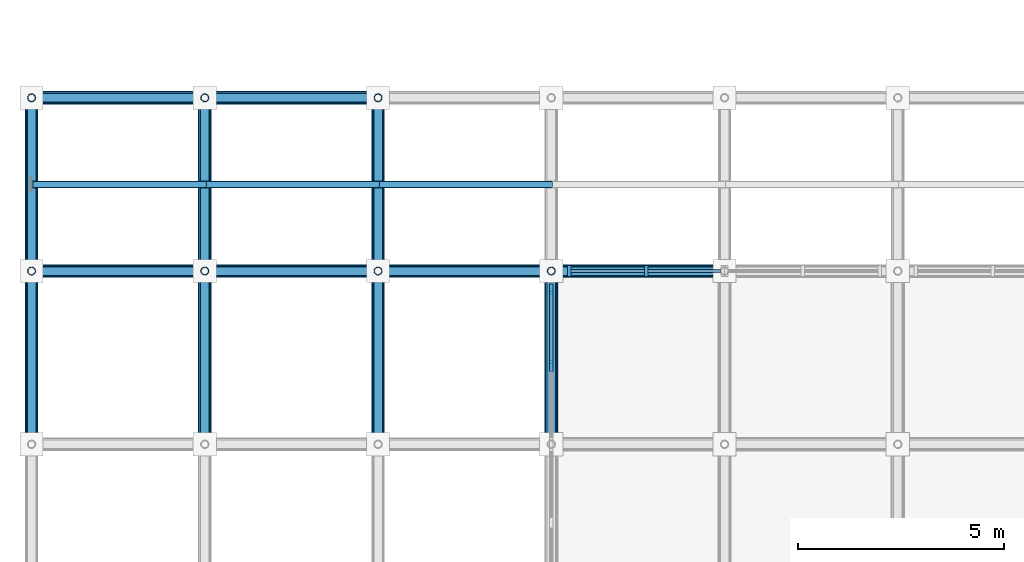
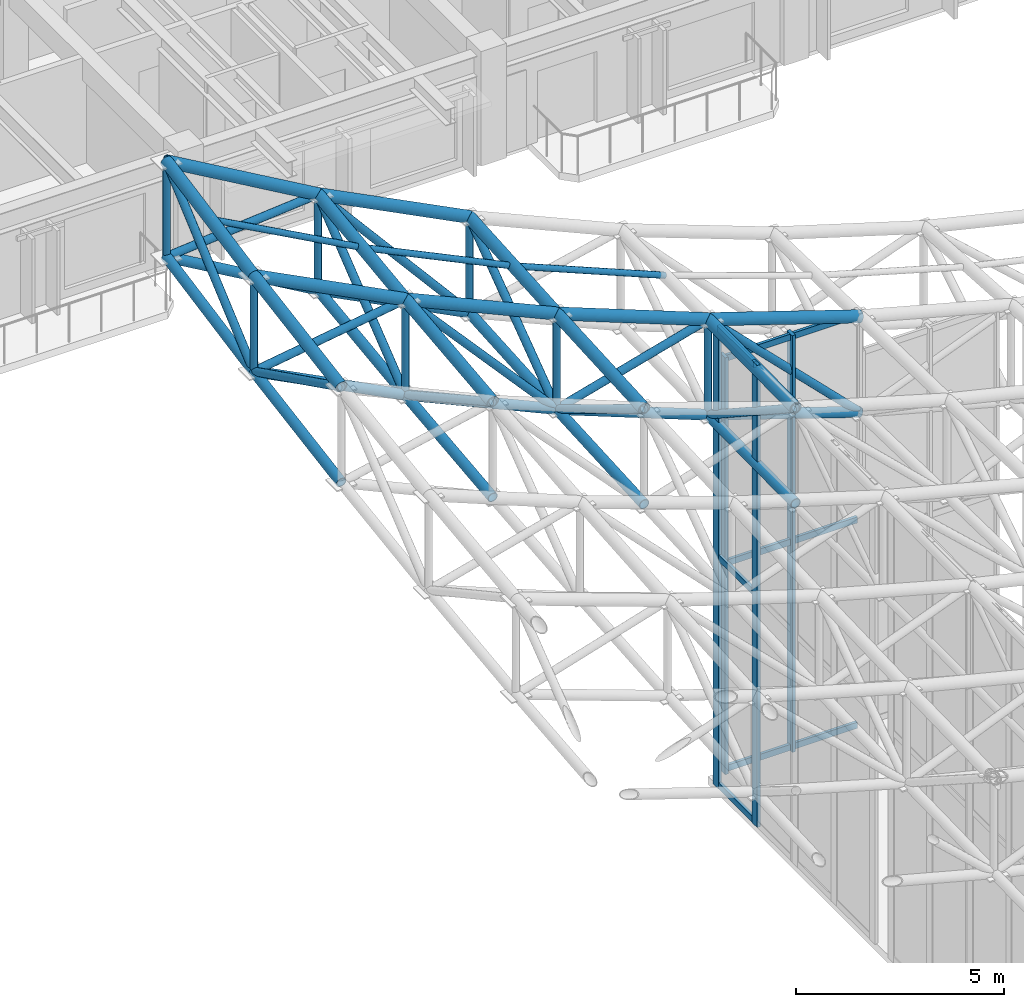
# One storey, part 46 of 93: 62 members, 2 elements without a shape of their own.
"""IFC4 building model written with IfcOpenShell, lengths in metres."""

from ifc_helpers import new_model, si_unit, direction, frame, origin, origin_2d, place, context, subcontext, project, spatial, rectangle, hollow_circle, extrude, material, material_profile, profile_set, type_object, element, aggregate, save


model = new_model("IFC4")

# Units and contexts
model_context = context("Model", 3, precision=1e-05, world=origin(), true_north=direction((0.0, 1.0)))
body_context = subcontext(model_context, "Body", "Model", "MODEL_VIEW")
ifc_project = project(units=[si_unit("LENGTHUNIT", "METRE"), si_unit("AREAUNIT", "SQUARE_METRE"), si_unit("VOLUMEUNIT", "CUBIC_METRE"), si_unit("PLANEANGLEUNIT", "RADIAN"), si_unit("MASSUNIT", "GRAM", prefix="KILO")], contexts=[model_context])

# Site, building, storey
site_placement = place(None, origin())
site = spatial("IfcSite", under=ifc_project, at=site_placement, CompositionType="ELEMENT")
building_placement = place(site_placement, origin())
building = spatial("IfcBuilding", under=site, at=building_placement, Name="Cumbredor Promenade Congress Hotel", CompositionType="ELEMENT")
storey_placement = place(building_placement, frame((0.0, 0.0, 21.840087890625)))
storey = spatial("IfcBuildingStorey", under=building, at=storey_placement, Name="L06", CompositionType="ELEMENT", Elevation=21.840087890625)

# Curtain wall, members
ifc_material_1 = material(Name="Thermally broken anodized aluminium and low-E glass", Category="aluminium")
curtain_wall_type = type_object("IfcCurtainWallType", Name="Stepped Pavilion Clerestory Curtain Wall CW-06", PredefinedType="NOTDEFINED", material=ifc_material_1)
curtain_wall_1_placement = place(storey_placement, origin())
curtain_wall_1 = element("IfcCurtainWall", 1, at=curtain_wall_1_placement, inside=storey, type_object=curtain_wall_type, Name="Plenary Congress Hall N Glazed Clerestory 1", PredefinedType="NOTDEFINED")
ifc_material_2 = material(Name="Thermally broken anodized aluminium", Category="aluminium")
ifc_material_profile_1 = material_profile(ifc_material_2, rectangle(XDim=0.0849609375, YDim=0.260009765625, at=origin_2d()), Name="ALU MULLION CLERESTORY 85x260")
ifc_profile_set_1 = profile_set([ifc_material_profile_1], Name="Thermally broken anodized aluminium")
member_type_1 = type_object("IfcMemberType", Name="Curtain Wall Mullion ML-04", PredefinedType="MULLION", material=ifc_profile_set_1)
member_1_placement = place(storey_placement, frame((8.840087890625, 67.199951171875, -0.01806640625), z_axis=(0.0, 0.0, 1.0), x_axis=(1.0, 0.0, 0.0)))
member_1 = element("IfcMember", 2, at=member_1_placement, type_object=member_type_1, Name="Plenary Congress Hall N Glazed Clerestory 1 Mullion 1", PredefinedType="MULLION", context=body_context, shape_type="SweptSolid", body=[
    extrude(rectangle(XDim=0.0849609375, YDim=0.260009765625, at=origin_2d()), origin(), (0.0, 0.0, 1.0), 12.2236328125),
])
member_2_placement = place(storey_placement, frame((10.699951171875, 67.199951171875, -0.01806640625), z_axis=(0.0, 0.0, 1.0), x_axis=(1.0, 0.0, 0.0)))
member_2 = element("IfcMember", 3, at=member_2_placement, type_object=member_type_1, Name="Plenary Congress Hall N Glazed Clerestory 1 Mullion 2", PredefinedType="MULLION", context=body_context, shape_type="SweptSolid", body=[
    extrude(rectangle(XDim=0.0849609375, YDim=0.260009765625, at=origin_2d()), origin(), (0.0, 0.0, 1.0), 12.2236328125),
])

curtain_wall_2_placement = place(storey_placement, origin())
curtain_wall_2 = element("IfcCurtainWall", 4, at=curtain_wall_2_placement, inside=storey, type_object=curtain_wall_type, Name="Plenary Congress Hall W Glazed Clerestory 14", PredefinedType="NOTDEFINED")
member_3_placement = place(storey_placement, frame((8.39990234375, 64.89990234375, -0.01806640625), z_axis=(0.0, 0.0, 1.0), x_axis=(1.0, 0.0, 0.0)))
member_3 = element("IfcMember", 5, at=member_3_placement, type_object=member_type_1, Name="Plenary Congress Hall W Glazed Clerestory 14 Mullion 2", PredefinedType="MULLION", context=body_context, shape_type="SweptSolid", body=[
    extrude(rectangle(XDim=0.0849609375, YDim=0.260009765625, at=origin_2d()), origin(), (0.0, 0.0, 1.0), 13.553955078125),
])
member_4_placement = place(storey_placement, frame((8.39990234375, 66.760009765625, -0.01806640625), z_axis=(0.0, 0.0, 1.0), x_axis=(1.0, 0.0, 0.0)))
member_4 = element("IfcMember", 6, at=member_4_placement, type_object=member_type_1, Name="Plenary Congress Hall W Glazed Clerestory 14 Mullion 3", PredefinedType="MULLION", context=body_context, shape_type="SweptSolid", body=[
    extrude(rectangle(XDim=0.0849609375, YDim=0.260009765625, at=origin_2d()), origin(), (0.0, 0.0, 1.0), 13.553955078125),
])

# Member
ifc_material_profile_2 = material_profile(ifc_material_2, rectangle(XDim=0.080078125, YDim=0.179931640625, at=origin_2d()), Name="ALU TRANSOM 80x180")
ifc_profile_set_2 = profile_set([ifc_material_profile_2], Name="Thermally broken anodized aluminium")
member_type_2 = type_object("IfcMemberType", Name="Curtain Wall Transom TR-03", PredefinedType="USERDEFINED", material=ifc_profile_set_2)
member_5_placement = place(storey_placement, frame((8.882568359375, 67.199951171875, 0.079833984375), z_axis=(1.0, 0.0, 0.0), x_axis=(0.0, 1.0, 0.0)))
member_5 = element("IfcMember", 7, at=member_5_placement, type_object=member_type_2, Name="Plenary Congress Hall N Glazed Clerestory 1 Transom 1.1", ObjectType="TRANSOM", PredefinedType="USERDEFINED", context=body_context, shape_type="SweptSolid", body=[
    extrude(rectangle(XDim=0.080078125, YDim=0.179931640625, at=origin_2d()), origin(), (0.0, 0.0, 1.0), 1.77490234375),
])

member_6_placement = place(storey_placement, frame((8.882568359375, 67.199951171875, 6.099853515625), z_axis=(1.0, 0.0, 0.0), x_axis=(0.0, 1.0, 0.0)))
member_6 = element("IfcMember", 8, at=member_6_placement, type_object=member_type_2, Name="Plenary Congress Hall N Glazed Clerestory 1 Transom 1.2", ObjectType="TRANSOM", PredefinedType="USERDEFINED", context=body_context, shape_type="SweptSolid", body=[
    extrude(rectangle(XDim=0.080078125, YDim=0.179931640625, at=origin_2d()), origin(), (0.0, 0.0, 1.0), 1.77490234375),
])

member_7_placement = place(storey_placement, frame((8.882568359375, 67.199951171875, 12.10986328125), z_axis=(1.0, 0.0, 0.0), x_axis=(0.0, 1.0, 0.0)))
member_7 = element("IfcMember", 9, at=member_7_placement, type_object=member_type_2, Name="Plenary Congress Hall N Glazed Clerestory 1 Transom 1.3", ObjectType="TRANSOM", PredefinedType="USERDEFINED", context=body_context, shape_type="SweptSolid", body=[
    extrude(rectangle(XDim=0.080078125, YDim=0.179931640625, at=origin_2d()), origin(), (0.0, 0.0, 1.0), 1.77490234375),
])

member_8_placement = place(storey_placement, frame((10.742431640625, 67.199951171875, 0.079833984375), z_axis=(1.0, 0.0, 0.0), x_axis=(0.0, 1.0, 0.0)))
member_8 = element("IfcMember", 10, at=member_8_placement, type_object=member_type_2, Name="Plenary Congress Hall N Glazed Clerestory 1 Transom 2.1", ObjectType="TRANSOM", PredefinedType="USERDEFINED", context=body_context, shape_type="SweptSolid", body=[
    extrude(rectangle(XDim=0.080078125, YDim=0.179931640625, at=origin_2d()), origin(), (0.0, 0.0, 1.0), 1.775146484375),
])

member_9_placement = place(storey_placement, frame((10.742431640625, 67.199951171875, 6.099853515625), z_axis=(1.0, 0.0, 0.0), x_axis=(0.0, 1.0, 0.0)))
member_9 = element("IfcMember", 11, at=member_9_placement, type_object=member_type_2, Name="Plenary Congress Hall N Glazed Clerestory 1 Transom 2.2", ObjectType="TRANSOM", PredefinedType="USERDEFINED", context=body_context, shape_type="SweptSolid", body=[
    extrude(rectangle(XDim=0.080078125, YDim=0.179931640625, at=origin_2d()), origin(), (0.0, 0.0, 1.0), 1.775146484375),
])

member_10_placement = place(storey_placement, frame((10.742431640625, 67.199951171875, 12.10986328125), z_axis=(1.0, 0.0, 0.0), x_axis=(0.0, 1.0, 0.0)))
member_10 = element("IfcMember", 12, at=member_10_placement, type_object=member_type_2, Name="Plenary Congress Hall N Glazed Clerestory 1 Transom 2.3", ObjectType="TRANSOM", PredefinedType="USERDEFINED", context=body_context, shape_type="SweptSolid", body=[
    extrude(rectangle(XDim=0.080078125, YDim=0.179931640625, at=origin_2d()), origin(), (0.0, 0.0, 1.0), 1.775146484375),
])

aggregate(curtain_wall_1, [member_1, member_2, member_5, member_6, member_7, member_8, member_9, member_10])

member_11_placement = place(storey_placement, frame((8.39990234375, 64.9423828125, 0.079833984375), z_axis=(0.0, 1.0, 0.0), x_axis=(-1.0, 0.0, 0.0)))
member_11 = element("IfcMember", 13, at=member_11_placement, type_object=member_type_2, Name="Plenary Congress Hall W Glazed Clerestory 14 Transom 2.1", ObjectType="TRANSOM", PredefinedType="USERDEFINED", context=body_context, shape_type="SweptSolid", body=[
    extrude(rectangle(XDim=0.080078125, YDim=0.179931640625, at=origin_2d()), origin(), (0.0, 0.0, 1.0), 1.775146484375),
])

member_12_placement = place(storey_placement, frame((8.39990234375, 64.9423828125, 6.760009765625), z_axis=(0.0, 1.0, 0.0), x_axis=(-1.0, 0.0, 0.0)))
member_12 = element("IfcMember", 14, at=member_12_placement, type_object=member_type_2, Name="Plenary Congress Hall W Glazed Clerestory 14 Transom 2.2", ObjectType="TRANSOM", PredefinedType="USERDEFINED", context=body_context, shape_type="SweptSolid", body=[
    extrude(rectangle(XDim=0.080078125, YDim=0.179931640625, at=origin_2d()), origin(), (0.0, 0.0, 1.0), 1.775146484375),
])

member_13_placement = place(storey_placement, frame((8.39990234375, 64.9423828125, 13.43994140625), z_axis=(0.0, 1.0, 0.0), x_axis=(-1.0, 0.0, 0.0)))
member_13 = element("IfcMember", 15, at=member_13_placement, type_object=member_type_2, Name="Plenary Congress Hall W Glazed Clerestory 14 Transom 2.3", ObjectType="TRANSOM", PredefinedType="USERDEFINED", context=body_context, shape_type="SweptSolid", body=[
    extrude(rectangle(XDim=0.080078125, YDim=0.179931640625, at=origin_2d()), origin(), (0.0, 0.0, 1.0), 1.775146484375),
])

aggregate(curtain_wall_2, [member_3, member_4, member_11, member_12, member_13])

# Members
ifc_material_3 = material(Name="Steel ASTM A500 Grade C", Category="steel")
ifc_material_profile_3 = material_profile(ifc_material_3, hollow_circle(Radius=0.136474609375, WallThickness=0.01611328125, at=origin_2d()), Name="CHS 273.0x16")
ifc_profile_set_3 = profile_set([ifc_material_profile_3], Name="Steel ASTM A500 Grade C")
member_type_3 = type_object("IfcMemberType", Name="Plenary Roof Space Frame Bottom Chord", PredefinedType="CHORD", material=ifc_profile_set_3)
member_14_placement = place(storey_placement, frame((-4.199951171875, 67.199951171875, 16.285400390625), z_axis=(0.889587462598, 0.0, -0.456764869914), x_axis=(0.0, 1.0, 0.0)))
element("IfcMember", 16, at=member_14_placement, inside=storey, type_object=member_type_3, Name="Plenary Congress Hall X Bottom Chord 1.17", PredefinedType="CHORD", context=body_context, shape_type="SweptSolid", body=[
    extrude(hollow_circle(Radius=0.136474609375, WallThickness=0.01611328125, at=origin_2d()), origin(), (0.0, 0.0, 1.0), 4.72119140625),
])
member_15_placement = place(storey_placement, frame((0.0, 67.199951171875, 14.12890625), z_axis=(0.91202761612, 0.0, -0.410128793716), x_axis=(0.0, 1.0, 0.0)))
element("IfcMember", 17, at=member_15_placement, inside=storey, type_object=member_type_3, Name="Plenary Congress Hall X Bottom Chord 2.17", PredefinedType="CHORD", context=body_context, shape_type="SweptSolid", body=[
    extrude(hollow_circle(Radius=0.136474609375, WallThickness=0.01611328125, at=origin_2d()), origin(), (0.0, 0.0, 1.0), 4.60498046875),
])
member_16_placement = place(storey_placement, frame((4.199951171875, 67.199951171875, 12.240234375), z_axis=(0.931730987888, 0.0, -0.363149234075), x_axis=(0.0, 1.0, 0.0)))
element("IfcMember", 18, at=member_16_placement, inside=storey, type_object=member_type_3, Name="Plenary Congress Hall X Bottom Chord 3.17", PredefinedType="CHORD", context=body_context, shape_type="SweptSolid", body=[
    extrude(hollow_circle(Radius=0.136474609375, WallThickness=0.01611328125, at=origin_2d()), origin(), (0.0, 0.0, 1.0), 4.507568359375),
])
member_17_placement = place(storey_placement, frame((8.39990234375, 67.199951171875, 10.603271484375), z_axis=(0.949666753168, 0.0, -0.313261963743), x_axis=(0.0, 1.0, 0.0)))
element("IfcMember", 19, at=member_17_placement, inside=storey, type_object=member_type_3, Name="Plenary Congress Hall X Bottom Chord 4.17", PredefinedType="CHORD", context=body_context, shape_type="SweptSolid", body=[
    extrude(hollow_circle(Radius=0.136474609375, WallThickness=0.01611328125, at=origin_2d()), origin(), (0.0, 0.0, 1.0), 4.4228515625),
])
member_18_placement = place(storey_placement, frame((-4.199951171875, 71.39990234375, 17.099365234375), z_axis=(0.865134625369, 0.0, -0.501539709283), x_axis=(0.0, 1.0, 0.0)))
element("IfcMember", 20, at=member_18_placement, inside=storey, type_object=member_type_3, Name="Plenary Congress Hall X Bottom Chord 1.18", PredefinedType="CHORD", context=body_context, shape_type="SweptSolid", body=[
    extrude(hollow_circle(Radius=0.136474609375, WallThickness=0.01611328125, at=origin_2d()), origin(), (0.0, 0.0, 1.0), 4.854736328125),
])
member_19_placement = place(storey_placement, frame((0.0, 71.39990234375, 14.66455078125), z_axis=(0.891118940449, 0.0, -0.453769802844), x_axis=(0.0, 1.0, 0.0)))
element("IfcMember", 21, at=member_19_placement, inside=storey, type_object=member_type_3, Name="Plenary Congress Hall X Bottom Chord 2.18", PredefinedType="CHORD", context=body_context, shape_type="SweptSolid", body=[
    extrude(hollow_circle(Radius=0.136474609375, WallThickness=0.01611328125, at=origin_2d()), origin(), (0.0, 0.0, 1.0), 4.713134765625),
])
member_20_placement = place(storey_placement, frame((-4.199951171875, 63.0, 15.575927734375), z_axis=(0.0, 0.986030601948, 0.166564257935), x_axis=(-1.0, 0.0, 0.0)))
element("IfcMember", 22, at=member_20_placement, inside=storey, type_object=member_type_3, Name="Plenary Congress Hall Y Bottom Chord 1.16", PredefinedType="CHORD", context=body_context, shape_type="SweptSolid", body=[
    extrude(hollow_circle(Radius=0.136474609375, WallThickness=0.01611328125, at=origin_2d()), origin(), (0.0, 0.0, 1.0), 4.259521484375),
])
member_21_placement = place(storey_placement, frame((-4.199951171875, 67.199951171875, 16.285400390625), z_axis=(0.0, 0.981733113687, 0.190263221591), x_axis=(-1.0, 0.0, 0.0)))
element("IfcMember", 23, at=member_21_placement, inside=storey, type_object=member_type_3, Name="Plenary Congress Hall Y Bottom Chord 1.17", PredefinedType="CHORD", context=body_context, shape_type="SweptSolid", body=[
    extrude(hollow_circle(Radius=0.136474609375, WallThickness=0.01611328125, at=origin_2d()), origin(), (0.0, 0.0, 1.0), 4.278076171875),
])
member_22_placement = place(storey_placement, frame((0.0, 63.0, 13.66845703125), z_axis=(0.0, 0.99404404365, 0.108979077273), x_axis=(-1.0, 0.0, 0.0)))
element("IfcMember", 24, at=member_22_placement, inside=storey, type_object=member_type_3, Name="Plenary Congress Hall Y Bottom Chord 2.16", PredefinedType="CHORD", context=body_context, shape_type="SweptSolid", body=[
    extrude(hollow_circle(Radius=0.136474609375, WallThickness=0.01611328125, at=origin_2d()), origin(), (0.0, 0.0, 1.0), 4.22509765625),
])
member_23_placement = place(storey_placement, frame((0.0, 67.199951171875, 14.12890625), z_axis=(0.0, 0.991965183128, 0.126511167342), x_axis=(-1.0, 0.0, 0.0)))
element("IfcMember", 25, at=member_23_placement, inside=storey, type_object=member_type_3, Name="Plenary Congress Hall Y Bottom Chord 2.17", PredefinedType="CHORD", context=body_context, shape_type="SweptSolid", body=[
    extrude(hollow_circle(Radius=0.136474609375, WallThickness=0.01611328125, at=origin_2d()), origin(), (0.0, 0.0, 1.0), 4.23388671875),
])
member_24_placement = place(storey_placement, frame((4.199951171875, 63.0, 11.996826171875), z_axis=(0.0, 0.99832482726, 0.057857923198), x_axis=(-1.0, 0.0, 0.0)))
element("IfcMember", 26, at=member_24_placement, inside=storey, type_object=member_type_3, Name="Plenary Congress Hall Y Bottom Chord 3.16", PredefinedType="CHORD", context=body_context, shape_type="SweptSolid", body=[
    extrude(hollow_circle(Radius=0.136474609375, WallThickness=0.01611328125, at=origin_2d()), origin(), (0.0, 0.0, 1.0), 4.20703125),
])
member_25_placement = place(storey_placement, frame((4.199951171875, 67.199951171875, 12.240234375), z_axis=(0.0, 0.997695217775, 0.067854641911), x_axis=(-1.0, 0.0, 0.0)))
element("IfcMember", 27, at=member_25_placement, inside=storey, type_object=member_type_3, Name="Plenary Congress Hall Y Bottom Chord 3.17", PredefinedType="CHORD", context=body_context, shape_type="SweptSolid", body=[
    extrude(hollow_circle(Radius=0.136474609375, WallThickness=0.01611328125, at=origin_2d()), origin(), (0.0, 0.0, 1.0), 4.209716796875),
])
member_26_placement = place(storey_placement, frame((8.39990234375, 63.0, 10.5478515625), z_axis=(0.0, 0.999912952434, 0.013194224275), x_axis=(-1.0, 0.0, 0.0)))
element("IfcMember", 28, at=member_26_placement, inside=storey, type_object=member_type_3, Name="Plenary Congress Hall Y Bottom Chord 4.16", PredefinedType="CHORD", context=body_context, shape_type="SweptSolid", body=[
    extrude(hollow_circle(Radius=0.136474609375, WallThickness=0.01611328125, at=origin_2d()), origin(), (0.0, 0.0, 1.0), 4.2001953125),
])
ifc_material_profile_4 = material_profile(ifc_material_3, hollow_circle(Radius=0.161865234375, WallThickness=0.01611328125, at=origin_2d()), Name="CHS 323.9x16")
ifc_profile_set_4 = profile_set([ifc_material_profile_4], Name="Steel ASTM A500 Grade C")
member_type_4 = type_object("IfcMemberType", Name="Plenary Roof Space Frame Top Chord", PredefinedType="CHORD", material=ifc_profile_set_4)
member_27_placement = place(storey_placement, frame((-4.199951171875, 67.199951171875, 19.08544921875), z_axis=(0.88956645023, 0.0, -0.456805790928), x_axis=(0.0, 1.0, 0.0)))
element("IfcMember", 29, at=member_27_placement, inside=storey, type_object=member_type_4, Name="Plenary Congress Hall X Top Chord 1.17", PredefinedType="CHORD", context=body_context, shape_type="SweptSolid", body=[
    extrude(hollow_circle(Radius=0.161865234375, WallThickness=0.01611328125, at=origin_2d()), origin(), (0.0, 0.0, 1.0), 4.721435546875),
])
member_28_placement = place(storey_placement, frame((0.0, 67.199951171875, 16.9287109375), z_axis=(0.912047445911, 0.0, -0.410084694188), x_axis=(0.0, 1.0, 0.0)))
element("IfcMember", 30, at=member_28_placement, inside=storey, type_object=member_type_4, Name="Plenary Congress Hall X Top Chord 2.17", PredefinedType="CHORD", context=body_context, shape_type="SweptSolid", body=[
    extrude(hollow_circle(Radius=0.161865234375, WallThickness=0.01611328125, at=origin_2d()), origin(), (0.0, 0.0, 1.0), 4.60498046875),
])
member_29_placement = place(storey_placement, frame((4.199951171875, 67.199951171875, 15.040283203125), z_axis=(0.931730987888, 0.0, -0.363149234075), x_axis=(0.0, 1.0, 0.0)))
element("IfcMember", 31, at=member_29_placement, inside=storey, type_object=member_type_4, Name="Plenary Congress Hall X Top Chord 3.17", PredefinedType="CHORD", context=body_context, shape_type="SweptSolid", body=[
    extrude(hollow_circle(Radius=0.161865234375, WallThickness=0.01611328125, at=origin_2d()), origin(), (0.0, 0.0, 1.0), 4.507568359375),
])
member_30_placement = place(storey_placement, frame((8.39990234375, 67.199951171875, 13.4033203125), z_axis=(0.949666753168, 0.0, -0.313261963743), x_axis=(0.0, 1.0, 0.0)))
element("IfcMember", 32, at=member_30_placement, inside=storey, type_object=member_type_4, Name="Plenary Congress Hall X Top Chord 4.17", PredefinedType="CHORD", context=body_context, shape_type="SweptSolid", body=[
    extrude(hollow_circle(Radius=0.161865234375, WallThickness=0.01611328125, at=origin_2d()), origin(), (0.0, 0.0, 1.0), 4.4228515625),
])
member_31_placement = place(storey_placement, frame((-4.199951171875, 71.39990234375, 19.8994140625), z_axis=(0.865134625369, 0.0, -0.501539709283), x_axis=(0.0, 1.0, 0.0)))
element("IfcMember", 33, at=member_31_placement, inside=storey, type_object=member_type_4, Name="Plenary Congress Hall X Top Chord 1.18", PredefinedType="CHORD", context=body_context, shape_type="SweptSolid", body=[
    extrude(hollow_circle(Radius=0.161865234375, WallThickness=0.01611328125, at=origin_2d()), origin(), (0.0, 0.0, 1.0), 4.854736328125),
])
member_32_placement = place(storey_placement, frame((0.0, 71.39990234375, 17.464599609375), z_axis=(0.891118940449, 0.0, -0.453769802844), x_axis=(0.0, 1.0, 0.0)))
element("IfcMember", 34, at=member_32_placement, inside=storey, type_object=member_type_4, Name="Plenary Congress Hall X Top Chord 2.18", PredefinedType="CHORD", context=body_context, shape_type="SweptSolid", body=[
    extrude(hollow_circle(Radius=0.161865234375, WallThickness=0.01611328125, at=origin_2d()), origin(), (0.0, 0.0, 1.0), 4.713134765625),
])
member_33_placement = place(storey_placement, frame((-4.199951171875, 63.0, 18.375732421875), z_axis=(0.0, 0.986021186806, 0.166619984308), x_axis=(-1.0, 0.0, 0.0)))
element("IfcMember", 35, at=member_33_placement, inside=storey, type_object=member_type_4, Name="Plenary Congress Hall Y Top Chord 1.16", PredefinedType="CHORD", context=body_context, shape_type="SweptSolid", body=[
    extrude(hollow_circle(Radius=0.161865234375, WallThickness=0.01611328125, at=origin_2d()), origin(), (0.0, 0.0, 1.0), 4.259521484375),
])
member_34_placement = place(storey_placement, frame((-4.199951171875, 67.199951171875, 19.08544921875), z_axis=(0.0, 0.981733113687, 0.190263221591), x_axis=(-1.0, 0.0, 0.0)))
element("IfcMember", 36, at=member_34_placement, inside=storey, type_object=member_type_4, Name="Plenary Congress Hall Y Top Chord 1.17", PredefinedType="CHORD", context=body_context, shape_type="SweptSolid", body=[
    extrude(hollow_circle(Radius=0.161865234375, WallThickness=0.01611328125, at=origin_2d()), origin(), (0.0, 0.0, 1.0), 4.278076171875),
])
member_35_placement = place(storey_placement, frame((0.0, 63.0, 16.468505859375), z_axis=(0.0, 0.994050301702, 0.108921979812), x_axis=(-1.0, 0.0, 0.0)))
element("IfcMember", 37, at=member_35_placement, inside=storey, type_object=member_type_4, Name="Plenary Congress Hall Y Top Chord 2.16", PredefinedType="CHORD", context=body_context, shape_type="SweptSolid", body=[
    extrude(hollow_circle(Radius=0.161865234375, WallThickness=0.01611328125, at=origin_2d()), origin(), (0.0, 0.0, 1.0), 4.22509765625),
])
member_36_placement = place(storey_placement, frame((0.0, 67.199951171875, 16.9287109375), z_axis=(0.0, 0.991957945242, 0.126567906168), x_axis=(-1.0, 0.0, 0.0)))
element("IfcMember", 38, at=member_36_placement, inside=storey, type_object=member_type_4, Name="Plenary Congress Hall Y Top Chord 2.17", PredefinedType="CHORD", context=body_context, shape_type="SweptSolid", body=[
    extrude(hollow_circle(Radius=0.161865234375, WallThickness=0.01611328125, at=origin_2d()), origin(), (0.0, 0.0, 1.0), 4.23388671875),
])
member_37_placement = place(storey_placement, frame((4.199951171875, 63.0, 14.796875), z_axis=(0.0, 0.99832482726, 0.057857923198), x_axis=(-1.0, 0.0, 0.0)))
element("IfcMember", 39, at=member_37_placement, inside=storey, type_object=member_type_4, Name="Plenary Congress Hall Y Top Chord 3.16", PredefinedType="CHORD", context=body_context, shape_type="SweptSolid", body=[
    extrude(hollow_circle(Radius=0.161865234375, WallThickness=0.01611328125, at=origin_2d()), origin(), (0.0, 0.0, 1.0), 4.20703125),
])
member_38_placement = place(storey_placement, frame((4.199951171875, 67.199951171875, 15.040283203125), z_axis=(0.0, 0.997695217775, 0.067854641911), x_axis=(-1.0, 0.0, 0.0)))
element("IfcMember", 40, at=member_38_placement, inside=storey, type_object=member_type_4, Name="Plenary Congress Hall Y Top Chord 3.17", PredefinedType="CHORD", context=body_context, shape_type="SweptSolid", body=[
    extrude(hollow_circle(Radius=0.161865234375, WallThickness=0.01611328125, at=origin_2d()), origin(), (0.0, 0.0, 1.0), 4.209716796875),
])
member_39_placement = place(storey_placement, frame((8.39990234375, 63.0, 13.347900390625), z_axis=(0.0, 0.999912952434, 0.013194224275), x_axis=(-1.0, 0.0, 0.0)))
element("IfcMember", 41, at=member_39_placement, inside=storey, type_object=member_type_4, Name="Plenary Congress Hall Y Top Chord 4.16", PredefinedType="CHORD", context=body_context, shape_type="SweptSolid", body=[
    extrude(hollow_circle(Radius=0.161865234375, WallThickness=0.01611328125, at=origin_2d()), origin(), (0.0, 0.0, 1.0), 4.2001953125),
])
ifc_material_profile_5 = material_profile(ifc_material_3, hollow_circle(Radius=0.084228515625, WallThickness=0.010009765625, at=origin_2d()), Name="CHS 168.3x10")
ifc_profile_set_5 = profile_set([ifc_material_profile_5], Name="Steel ASTM A500 Grade C")
member_type_5 = type_object("IfcMemberType", Name="Roof Purlin CHS168", PredefinedType="PURLIN", material=ifc_profile_set_5)
member_40_placement = place(storey_placement, frame((-4.199951171875, 69.300048828125, 19.472412109375), z_axis=(0.877476133275, 0.0, -0.479620303504), x_axis=(0.0, 1.0, 0.0)))
element("IfcMember", 42, at=member_40_placement, inside=storey, type_object=member_type_5, Name="Plenary Congress Hall Roof Eave Purlin 1.17", PredefinedType="PURLIN", context=body_context, shape_type="SweptSolid", body=[
    extrude(hollow_circle(Radius=0.084228515625, WallThickness=0.010009765625, at=origin_2d()), origin(), (0.0, 0.0, 1.0), 4.786376953125),
])
member_41_placement = place(storey_placement, frame((0.0, 69.300048828125, 17.1767578125), z_axis=(0.901716001188, 0.0, -0.43232887158), x_axis=(0.0, 1.0, 0.0)))
element("IfcMember", 43, at=member_41_placement, inside=storey, type_object=member_type_5, Name="Plenary Congress Hall Roof Eave Purlin 2.17", PredefinedType="PURLIN", context=body_context, shape_type="SweptSolid", body=[
    extrude(hollow_circle(Radius=0.084228515625, WallThickness=0.010009765625, at=origin_2d()), origin(), (0.0, 0.0, 1.0), 4.65771484375),
])
member_42_placement = place(storey_placement, frame((4.199951171875, 69.300048828125, 15.1630859375), z_axis=(0.923437023383, 0.0, -0.383750001753), x_axis=(0.0, 1.0, 0.0)))
element("IfcMember", 44, at=member_42_placement, inside=storey, type_object=member_type_5, Name="Plenary Congress Hall Roof Eave Purlin 3.17", PredefinedType="PURLIN", context=body_context, shape_type="SweptSolid", body=[
    extrude(hollow_circle(Radius=0.084228515625, WallThickness=0.010009765625, at=origin_2d()), origin(), (0.0, 0.0, 1.0), 4.548095703125),
])
ifc_material_profile_6 = material_profile(ifc_material_3, hollow_circle(Radius=0.109619140625, WallThickness=0.012451171875, at=origin_2d()), Name="CHS 219.1x12.5")
ifc_profile_set_6 = profile_set([ifc_material_profile_6], Name="Steel ASTM A500 Grade C")
member_type_6 = type_object("IfcMemberType", Name="Space Frame Web Diagonal D1", PredefinedType="BRACE", material=ifc_profile_set_6)
member_43_placement = place(storey_placement, frame((-4.199951171875, 67.199951171875, 16.285400390625), z_axis=(0.988471787229, 0.0, 0.151405171153), x_axis=(0.0, 1.0, 0.0)))
element("IfcMember", 45, at=member_43_placement, inside=storey, type_object=member_type_6, Name="Plenary Congress Hall X Web Diagonal 1.17", PredefinedType="BRACE", context=body_context, shape_type="SweptSolid", body=[
    extrude(hollow_circle(Radius=0.109619140625, WallThickness=0.012451171875, at=origin_2d()), origin(), (0.0, 0.0, 1.0), 4.2490234375),
])
member_44_placement = place(storey_placement, frame((0.0, 67.199951171875, 16.9287109375), z_axis=(0.667235769504, 0.0, -0.744846580105), x_axis=(0.0, 1.0, 0.0)))
element("IfcMember", 46, at=member_44_placement, inside=storey, type_object=member_type_6, Name="Plenary Congress Hall X Web Diagonal 2.17", PredefinedType="BRACE", context=body_context, shape_type="SweptSolid", body=[
    extrude(hollow_circle(Radius=0.109619140625, WallThickness=0.012451171875, at=origin_2d()), origin(), (0.0, 0.0, 1.0), 6.29443359375),
])
member_45_placement = place(storey_placement, frame((4.199951171875, 67.199951171875, 12.240234375), z_axis=(0.963728691844, 0.0, 0.266883885831), x_axis=(0.0, 1.0, 0.0)))
element("IfcMember", 47, at=member_45_placement, inside=storey, type_object=member_type_6, Name="Plenary Congress Hall X Web Diagonal 3.17", PredefinedType="BRACE", context=body_context, shape_type="SweptSolid", body=[
    extrude(hollow_circle(Radius=0.109619140625, WallThickness=0.012451171875, at=origin_2d()), origin(), (0.0, 0.0, 1.0), 4.35791015625),
])
member_46_placement = place(storey_placement, frame((8.39990234375, 67.199951171875, 13.4033203125), z_axis=(0.708340893404, 0.0, -0.705870511306), x_axis=(0.0, 1.0, 0.0)))
element("IfcMember", 48, at=member_46_placement, inside=storey, type_object=member_type_6, Name="Plenary Congress Hall X Web Diagonal 4.17", PredefinedType="BRACE", context=body_context, shape_type="SweptSolid", body=[
    extrude(hollow_circle(Radius=0.109619140625, WallThickness=0.012451171875, at=origin_2d()), origin(), (0.0, 0.0, 1.0), 5.9296875),
])
member_47_placement = place(storey_placement, frame((-4.199951171875, 71.39990234375, 17.099365234375), z_axis=(0.99624015358, 0.0, 0.086634614297), x_axis=(0.0, 1.0, 0.0)))
element("IfcMember", 49, at=member_47_placement, inside=storey, type_object=member_type_6, Name="Plenary Congress Hall X Web Diagonal 1.18", PredefinedType="BRACE", context=body_context, shape_type="SweptSolid", body=[
    extrude(hollow_circle(Radius=0.109619140625, WallThickness=0.012451171875, at=origin_2d()), origin(), (0.0, 0.0, 1.0), 4.2158203125),
])
member_48_placement = place(storey_placement, frame((0.0, 71.39990234375, 17.464599609375), z_axis=(0.647830952732, 0.0, -0.76178412735), x_axis=(0.0, 1.0, 0.0)))
element("IfcMember", 50, at=member_48_placement, inside=storey, type_object=member_type_6, Name="Plenary Congress Hall X Web Diagonal 2.18", PredefinedType="BRACE", context=body_context, shape_type="SweptSolid", body=[
    extrude(hollow_circle(Radius=0.109619140625, WallThickness=0.012451171875, at=origin_2d()), origin(), (0.0, 0.0, 1.0), 6.483154296875),
])
member_49_placement = place(storey_placement, frame((-4.199951171875, 63.0, 18.375732421875), z_axis=(0.0, 0.895247914743, -0.445568368658), x_axis=(-1.0, 0.0, 0.0)))
element("IfcMember", 51, at=member_49_placement, inside=storey, type_object=member_type_6, Name="Plenary Congress Hall Y Web Diagonal 1.16", PredefinedType="BRACE", context=body_context, shape_type="SweptSolid", body=[
    extrude(hollow_circle(Radius=0.109619140625, WallThickness=0.012451171875, at=origin_2d()), origin(), (0.0, 0.0, 1.0), 4.69140625),
])
member_50_placement = place(storey_placement, frame((-4.199951171875, 67.199951171875, 16.285400390625), z_axis=(0.0, 0.758001754562, 0.652252512514), x_axis=(-1.0, 0.0, 0.0)))
element("IfcMember", 52, at=member_50_placement, inside=storey, type_object=member_type_6, Name="Plenary Congress Hall Y Web Diagonal 1.17", PredefinedType="BRACE", context=body_context, shape_type="SweptSolid", body=[
    extrude(hollow_circle(Radius=0.109619140625, WallThickness=0.012451171875, at=origin_2d()), origin(), (0.0, 0.0, 1.0), 5.540771484375),
])
member_51_placement = place(storey_placement, frame((0.0, 63.0, 16.468505859375), z_axis=(0.0, 0.873600977368, -0.486642920776), x_axis=(-1.0, 0.0, 0.0)))
element("IfcMember", 53, at=member_51_placement, inside=storey, type_object=member_type_6, Name="Plenary Congress Hall Y Web Diagonal 2.16", PredefinedType="BRACE", context=body_context, shape_type="SweptSolid", body=[
    extrude(hollow_circle(Radius=0.109619140625, WallThickness=0.012451171875, at=origin_2d()), origin(), (0.0, 0.0, 1.0), 4.8076171875),
])
member_52_placement = place(storey_placement, frame((0.0, 67.199951171875, 14.12890625), z_axis=(0.0, 0.783071073731, 0.621932225797), x_axis=(-1.0, 0.0, 0.0)))
element("IfcMember", 54, at=member_52_placement, inside=storey, type_object=member_type_6, Name="Plenary Congress Hall Y Web Diagonal 2.17", PredefinedType="BRACE", context=body_context, shape_type="SweptSolid", body=[
    extrude(hollow_circle(Radius=0.109619140625, WallThickness=0.012451171875, at=origin_2d()), origin(), (0.0, 0.0, 1.0), 5.363525390625),
])
member_53_placement = place(storey_placement, frame((4.199951171875, 63.0, 14.796875), z_axis=(0.0, 0.854185131826, -0.519968999621), x_axis=(-1.0, 0.0, 0.0)))
element("IfcMember", 55, at=member_53_placement, inside=storey, type_object=member_type_6, Name="Plenary Congress Hall Y Web Diagonal 3.16", PredefinedType="BRACE", context=body_context, shape_type="SweptSolid", body=[
    extrude(hollow_circle(Radius=0.109619140625, WallThickness=0.012451171875, at=origin_2d()), origin(), (0.0, 0.0, 1.0), 4.9169921875),
])
member_54_placement = place(storey_placement, frame((4.199951171875, 67.199951171875, 12.240234375), z_axis=(0.0, 0.805880444402, 0.592078296622), x_axis=(-1.0, 0.0, 0.0)))
element("IfcMember", 56, at=member_54_placement, inside=storey, type_object=member_type_6, Name="Plenary Congress Hall Y Web Diagonal 3.17", PredefinedType="BRACE", context=body_context, shape_type="SweptSolid", body=[
    extrude(hollow_circle(Radius=0.109619140625, WallThickness=0.012451171875, at=origin_2d()), origin(), (0.0, 0.0, 1.0), 5.211669921875),
])
member_55_placement = place(storey_placement, frame((8.39990234375, 63.0, 13.347900390625), z_axis=(0.0, 0.837105887726, -0.547040887625), x_axis=(-1.0, 0.0, 0.0)))
element("IfcMember", 57, at=member_55_placement, inside=storey, type_object=member_type_6, Name="Plenary Congress Hall Y Web Diagonal 4.16", PredefinedType="BRACE", context=body_context, shape_type="SweptSolid", body=[
    extrude(hollow_circle(Radius=0.109619140625, WallThickness=0.012451171875, at=origin_2d()), origin(), (0.0, 0.0, 1.0), 5.017333984375),
])
ifc_material_profile_7 = material_profile(ifc_material_3, hollow_circle(Radius=0.096923828125, WallThickness=0.010009765625, at=origin_2d()), Name="CHS 193.7x10")
ifc_profile_set_7 = profile_set([ifc_material_profile_7], Name="Steel ASTM A500 Grade C")
member_type_7 = type_object("IfcMemberType", Name="Space Frame Web Post P1", PredefinedType="BRACE", material=ifc_profile_set_7)
for number, where, z_axis, x_axis, name in (
    (58, (-4.199951171875, 67.199951171875, 16.285400390625), (0.0, 0.0, 1.0), (1.0, 0.0, 0.0), "Plenary Congress Hall Space Frame Web Post 1.17"),
    (59, (-4.199951171875, 71.39990234375, 17.099365234375), (0.0, 0.0, 1.0), (1.0, 0.0, 0.0), "Plenary Congress Hall Space Frame Web Post 1.18"),
):
    element("IfcMember", number, at=place(storey_placement, frame(where, z_axis=z_axis, x_axis=x_axis)), inside=storey, type_object=member_type_7, Name=name, PredefinedType="BRACE", context=body_context, shape_type="SweptSolid", body=[
        extrude(hollow_circle(Radius=0.096923828125, WallThickness=0.010009765625, at=origin_2d()), origin(), (0.0, 0.0, 1.0), 2.800048828125),
    ])
member_56_placement = place(storey_placement, frame((0.0, 67.199951171875, 14.12890625), z_axis=(0.0, 0.0, 1.0), x_axis=(1.0, 0.0, 0.0)))
element("IfcMember", 60, at=member_56_placement, inside=storey, type_object=member_type_7, Name="Plenary Congress Hall Space Frame Web Post 2.17", PredefinedType="BRACE", context=body_context, shape_type="SweptSolid", body=[
    extrude(hollow_circle(Radius=0.096923828125, WallThickness=0.010009765625, at=origin_2d()), origin(), (0.0, 0.0, 1.0), 2.7998046875),
])
for number, where, z_axis, x_axis, name in (
    (61, (0.0, 71.39990234375, 14.66455078125), (0.0, 0.0, 1.0), (1.0, 0.0, 0.0), "Plenary Congress Hall Space Frame Web Post 2.18"),
    (62, (4.199951171875, 67.199951171875, 12.240234375), (0.0, 0.0, 1.0), (1.0, 0.0, 0.0), "Plenary Congress Hall Space Frame Web Post 3.17"),
    (63, (4.199951171875, 71.39990234375, 12.52587890625), (0.0, 0.0, 1.0), (1.0, 0.0, 0.0), "Plenary Congress Hall Space Frame Web Post 3.18"),
    (64, (8.39990234375, 67.199951171875, 10.603271484375), (0.0, 0.0, 1.0), (1.0, 0.0, 0.0), "Plenary Congress Hall Space Frame Web Post 4.17"),
):
    element("IfcMember", number, at=place(storey_placement, frame(where, z_axis=z_axis, x_axis=x_axis)), inside=storey, type_object=member_type_7, Name=name, PredefinedType="BRACE", context=body_context, shape_type="SweptSolid", body=[
        extrude(hollow_circle(Radius=0.096923828125, WallThickness=0.010009765625, at=origin_2d()), origin(), (0.0, 0.0, 1.0), 2.800048828125),
    ])

save(model, "model.ifc")
